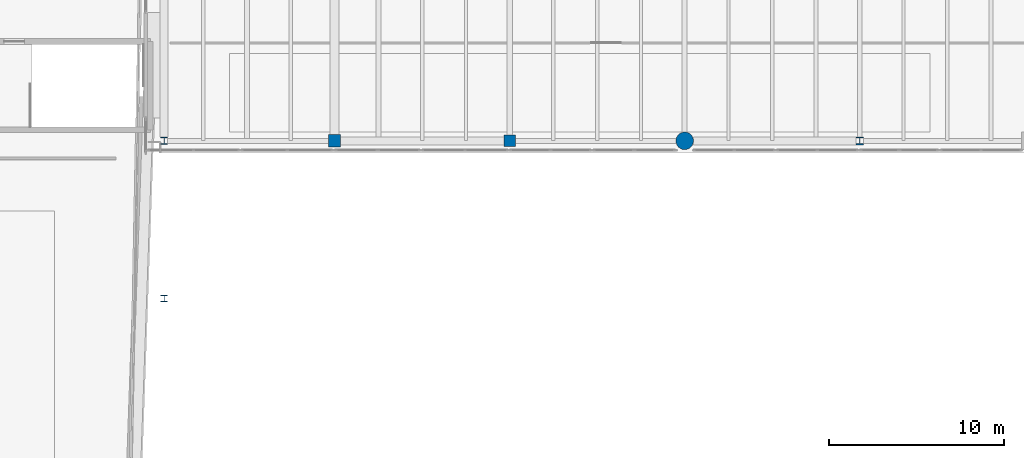
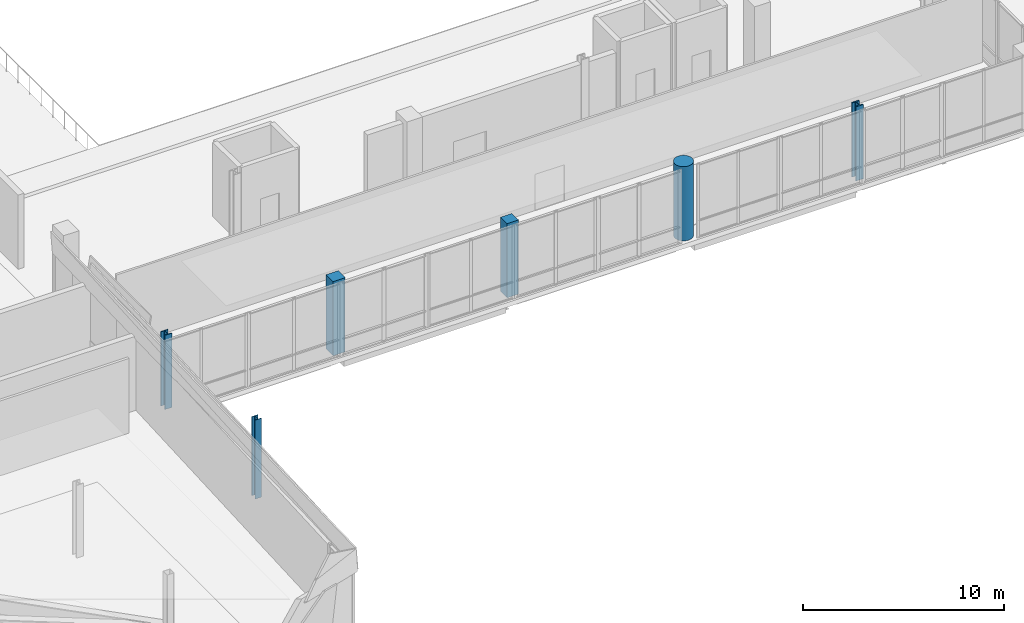
# One storey, part 3 of 41: 6 columns.
"""IFC4 building model written with IfcOpenShell, lengths in metres."""

from ifc_helpers import new_model, si_unit, direction, frame, origin, origin_2d, place, context, subcontext, project, spatial, rectangle, circle, i_section, extrude, material, material_profile, profile_set, type_object, element, save


model = new_model("IFC4")

# Units and contexts
model_context = context("Model", 3, precision=1e-05, world=origin(), true_north=direction((0.0, 1.0)))
body_context = subcontext(model_context, "Body", "Model", "MODEL_VIEW")
ifc_project = project(units=[si_unit("LENGTHUNIT", "METRE"), si_unit("AREAUNIT", "SQUARE_METRE"), si_unit("VOLUMEUNIT", "CUBIC_METRE"), si_unit("PLANEANGLEUNIT", "RADIAN"), si_unit("MASSUNIT", "GRAM", prefix="KILO")], contexts=[model_context])

# Site, building, storey
site_placement = place(None, origin())
site = spatial("IfcSite", under=ifc_project, at=site_placement, CompositionType="ELEMENT")
building_placement = place(site_placement, origin())
building = spatial("IfcBuilding", under=site, at=building_placement, Name="Trimount Lyric Opera House", CompositionType="ELEMENT")
storey_placement = place(building_placement, frame((0.0, 0.0, 20.0)))
storey = spatial("IfcBuildingStorey", under=building, at=storey_placement, Name="L04", CompositionType="ELEMENT", Elevation=20.0)

# Columns
ifc_material_1 = material(Name="Steel ASTM A992 Grade 50", Category="steel")
ifc_material_profile_1 = material_profile(ifc_material_1, i_section(OverallWidth=0.406005859375, OverallDepth=0.4169921875, WebThickness=0.02978515625, FlangeThickness=0.048095703125, FilletRadius=0.01806640625, at=origin_2d()), Name="W14X257")
ifc_profile_set_1 = profile_set([ifc_material_profile_1], Name="Steel ASTM A992 Grade 50")
column_type_1 = type_object("IfcColumnType", Name="C-02", PredefinedType="COLUMN", material=ifc_profile_set_1)
column_1_placement = place(storey_placement, frame((64.260009765625, 44.0, 0.0), z_axis=(0.0, 0.0, 1.0), x_axis=(1.0, 0.0, 0.0)))
element("IfcColumn", 1, at=column_1_placement, inside=storey, type_object=column_type_1, Name="L04 column 8/F", PredefinedType="COLUMN", context=body_context, shape_type="SweptSolid", body=[
    extrude(i_section(OverallWidth=0.406005859375, OverallDepth=0.4169921875, WebThickness=0.02978515625, FlangeThickness=0.048095703125, FilletRadius=0.01806640625, at=origin_2d()), origin(), (0.0, 0.0, 1.0), 4.510009765625),
])
ifc_material_2 = material(Name="Steel ASTM A992 Grade 50", Category="steel")
ifc_material_profile_2 = material_profile(ifc_material_2, i_section(OverallWidth=0.367919921875, OverallDepth=0.35595703125, WebThickness=0.01123046875, FlangeThickness=0.01806640625, FilletRadius=0.014892578125, at=origin_2d()), Name="W14X90")
ifc_profile_set_2 = profile_set([ifc_material_profile_2], Name="Steel ASTM A992 Grade 50")
column_type_2 = type_object("IfcColumnType", Name="C-05", PredefinedType="COLUMN", material=ifc_profile_set_2)
column_2_placement = place(storey_placement, frame((64.260009765625, 35.0, 0.0), z_axis=(0.0, 0.0, 1.0), x_axis=(1.0, 0.0, 0.0)))
element("IfcColumn", 2, at=column_2_placement, inside=storey, type_object=column_type_2, Name="L04 crystal roof column 64/35", PredefinedType="COLUMN", context=body_context, shape_type="SweptSolid", body=[
    extrude(i_section(OverallWidth=0.367919921875, OverallDepth=0.35595703125, WebThickness=0.01123046875, FlangeThickness=0.01806640625, FilletRadius=0.014892578125, at=origin_2d()), origin(), (0.0, 0.0, 1.0), 4.800048828125),
])
ifc_material_3 = material(Name="Steel ASTM A992 Grade 50", Category="steel")
ifc_material_profile_3 = material_profile(ifc_material_3, i_section(OverallWidth=0.422119140625, OverallDepth=0.465087890625, WebThickness=0.044921875, FlangeThickness=0.072509765625, FilletRadius=0.02001953125, at=origin_2d()), Name="W14X398")
ifc_profile_set_3 = profile_set([ifc_material_profile_3], Name="Steel ASTM A992 Grade 50")
column_type_3 = type_object("IfcColumnType", Name="C-10", PredefinedType="COLUMN", material=ifc_profile_set_3)
column_3_placement = place(storey_placement, frame((104.0, 44.0, 0.0), z_axis=(0.0, 0.0, 1.0), x_axis=(1.0, 0.0, 0.0)))
element("IfcColumn", 3, at=column_3_placement, inside=storey, type_object=column_type_3, Name="L04 column 12/F", PredefinedType="COLUMN", context=body_context, shape_type="SweptSolid", body=[
    extrude(i_section(OverallWidth=0.422119140625, OverallDepth=0.465087890625, WebThickness=0.044921875, FlangeThickness=0.072509765625, FilletRadius=0.02001953125, at=origin_2d()), origin(), (0.0, 0.0, 1.0), 4.510009765625),
])
ifc_material_4 = material(Name="Concrete C40/50", Category="concrete")
ifc_material_profile_4 = material_profile(ifc_material_4, rectangle(XDim=0.699951171875, YDim=0.699951171875, at=origin_2d()), Name="RC700X700")
ifc_profile_set_4 = profile_set([ifc_material_profile_4], Name="Concrete C40/50")
column_type_4 = type_object("IfcColumnType", Name="C-16", PredefinedType="COLUMN", material=ifc_profile_set_4)
column_4_placement = place(storey_placement, frame((74.0, 44.0, 0.0), z_axis=(0.0, 0.0, 1.0), x_axis=(1.0, 0.0, 0.0)))
element("IfcColumn", 4, at=column_4_placement, inside=storey, type_object=column_type_4, Name="L04 column 9/F", PredefinedType="COLUMN", context=body_context, shape_type="SweptSolid", body=[
    extrude(rectangle(XDim=0.699951171875, YDim=0.699951171875, at=origin_2d()), origin(), (0.0, 0.0, 1.0), 4.510009765625),
])
ifc_material_5 = material(Name="Concrete C40/50", Category="concrete")
ifc_material_profile_5 = material_profile(ifc_material_5, rectangle(XDim=0.64990234375, YDim=0.64990234375, at=origin_2d()), Name="RC650X650")
ifc_profile_set_5 = profile_set([ifc_material_profile_5], Name="Concrete C40/50")
column_type_5 = type_object("IfcColumnType", Name="C-17", PredefinedType="COLUMN", material=ifc_profile_set_5)
column_5_placement = place(storey_placement, frame((84.0, 44.0, 0.0), z_axis=(0.0, 0.0, 1.0), x_axis=(1.0, 0.0, 0.0)))
element("IfcColumn", 5, at=column_5_placement, inside=storey, type_object=column_type_5, Name="L04 column 10/F", PredefinedType="COLUMN", context=body_context, shape_type="SweptSolid", body=[
    extrude(rectangle(XDim=0.64990234375, YDim=0.64990234375, at=origin_2d()), origin(), (0.0, 0.0, 1.0), 4.510009765625),
])
ifc_material_6 = material(Name="Concrete C50/60", Category="concrete")
ifc_material_profile_6 = material_profile(ifc_material_6, circle(Radius=0.5, at=origin_2d()), Name="RC-D1000")
ifc_profile_set_6 = profile_set([ifc_material_profile_6], Name="Concrete C50/60")
column_type_6 = type_object("IfcColumnType", Name="C-18", PredefinedType="COLUMN", material=ifc_profile_set_6)
column_6_placement = place(storey_placement, frame((94.0, 44.0, 0.0), z_axis=(0.0, 0.0, 1.0), x_axis=(1.0, 0.0, 0.0)))
element("IfcColumn", 6, at=column_6_placement, inside=storey, type_object=column_type_6, Name="L04 column 11/F", PredefinedType="COLUMN", context=body_context, shape_type="SweptSolid", body=[
    extrude(circle(Radius=0.5, at=origin_2d()), origin(), (0.0, 0.0, 1.0), 4.510009765625),
])

save(model, "model.ifc")
